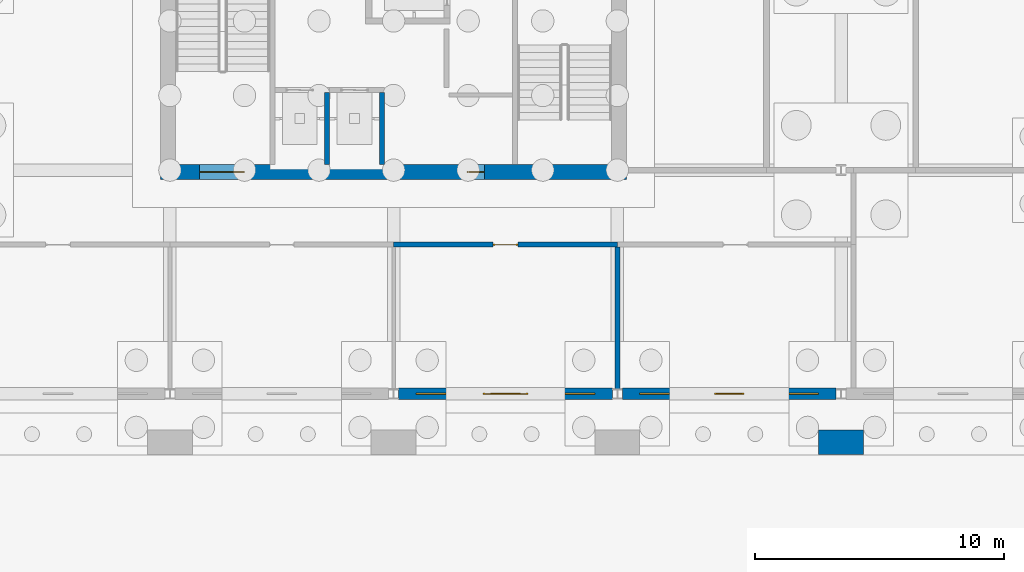
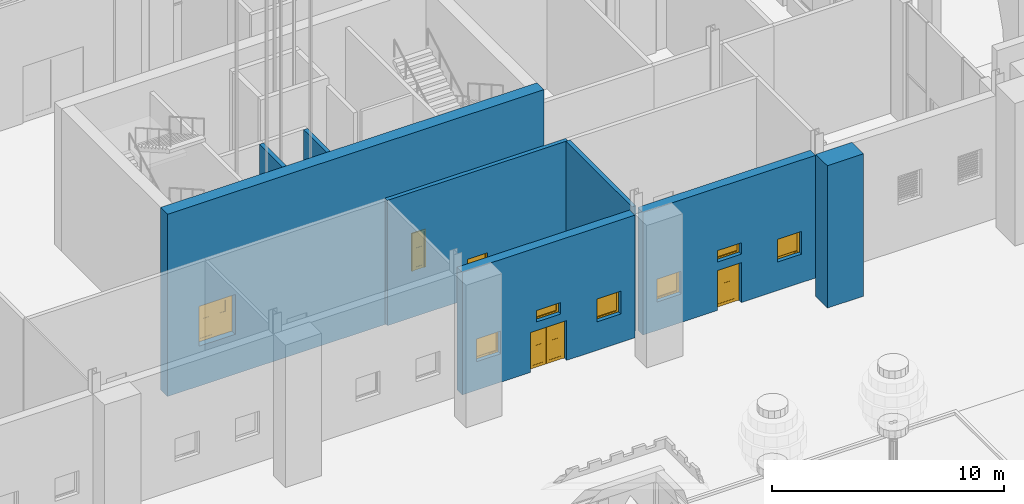
# One storey, part 105 of 250: 8 walls, 6 windows, 5 doors, 11 openings.
"""IFC4 building model written with IfcOpenShell, lengths in metres."""

import ifcopenshell
import ifcopenshell.guid

model = None  # the IFC model being written
_history = None  # IfcOwnerHistory: only IFC2X3 demands one
_inside = {}  # id of a spatial element -> (the spatial element, [elements in it])
_under = {}  # id of a project, library or spatial element -> (it, [spatial elements below it])
_declared = {}  # id of a project -> (the project, [libraries it declares])
_typed = {}  # id of a type object -> (the type object, [elements of that type])
_made_of = {}  # id of a material, layer set ... -> (it, [elements and type objects made of it])


def new_model(schema):
    """Start an empty IFC model of exactly this schema.

    Asked for "IFC4X3", IfcOpenShell would pick the latest addendum, in which some entities
    have other attributes; the version numbers below select the first issue.
    IFC2X3 requires an IfcOwnerHistory on every rooted entity: one is made here for all.
    """
    global model, _history
    if schema == "IFC4X3":
        model = ifcopenshell.file(schema_version=(4, 3, 0, 0))
    else:
        model = ifcopenshell.file(schema=schema)
    _inside.clear()
    _under.clear()
    _declared.clear()
    _typed.clear()
    _made_of.clear()
    _history = None
    if model.schema == "IFC2X3":
        org = make("IfcOrganization", Name="unknown")
        user = make(
            "IfcPersonAndOrganization",
            ThePerson=make("IfcPerson", FamilyName="unknown"),
            TheOrganization=org,
        )
        app = make(
            "IfcApplication",
            ApplicationDeveloper=org,
            Version="unknown",
            ApplicationFullName="unknown",
            ApplicationIdentifier="unknown",
        )
        _history = make(
            "IfcOwnerHistory",
            OwningUser=user,
            OwningApplication=app,
            ChangeAction="ADDED",
            CreationDate=0,
        )
    return model


def make(cls, **values):
    """One entity of the class cls with the attributes given. An attribute that is None is left unset."""
    return model.create_entity(
        cls, **{name: value for name, value in values.items() if value is not None}
    )


def rooted(cls, **values):
    """An entity with a GlobalId (a new one), such as an element, a storey or a relation."""
    return make(cls, GlobalId=ifcopenshell.guid.new(), OwnerHistory=_history, **values)


def si_unit(unit_type, name, prefix=None):
    """IfcSIUnit, for example si_unit("LENGTHUNIT", "METRE", prefix="MILLI")."""
    return make("IfcSIUnit", UnitType=unit_type, Prefix=prefix, Name=name)


def assignment(units):
    """IfcUnitAssignment: the units of a project."""
    return None if units is None else make("IfcUnitAssignment", Units=units)


def point(xyz):
    """IfcCartesianPoint."""
    return None if xyz is None else make("IfcCartesianPoint", Coordinates=xyz)


def direction(xyz):
    """IfcDirection."""
    return None if xyz is None else make("IfcDirection", DirectionRatios=xyz)


def frame(location, z_axis=None, x_axis=None):
    """IfcAxis2Placement3D, a coordinate frame: its origin and axes. An axis left out is left unset."""
    return make(
        "IfcAxis2Placement3D",
        Location=point(location),
        Axis=direction(z_axis),
        RefDirection=direction(x_axis),
    )


def frame_2d(location, x_axis=None):
    """IfcAxis2Placement2D, a coordinate frame in the plane: its origin and x axis."""
    return make(
        "IfcAxis2Placement2D", Location=point(location), RefDirection=direction(x_axis)
    )


def origin():
    """The frame at (0, 0, 0) with its axes left unset."""
    return frame((0.0, 0.0, 0.0))


def place(relative_to, where):
    """IfcLocalPlacement: puts the frame where relative to a parent placement (None: the world)."""
    return make(
        "IfcLocalPlacement", PlacementRelTo=relative_to, RelativePlacement=where
    )


def context(
    kind, dimensions, precision=None, world=None, true_north=None, identifier=None
):
    """IfcGeometricRepresentationContext, for example the 3D "Model" context."""
    return make(
        "IfcGeometricRepresentationContext",
        ContextIdentifier=identifier,
        ContextType=kind,
        CoordinateSpaceDimension=dimensions,
        Precision=precision,
        WorldCoordinateSystem=world,
        TrueNorth=true_north,
    )


def subcontext(parent, identifier, kind, view, scale=None):
    """IfcGeometricRepresentationSubContext, for example "Body" below "Model"."""
    return make(
        "IfcGeometricRepresentationSubContext",
        ContextIdentifier=identifier,
        ContextType=kind,
        ParentContext=parent,
        TargetScale=scale,
        TargetView=view,
    )


def project(units=None, contexts=None):
    """IfcProject with its units and contexts."""
    return rooted(
        "IfcProject",
        Name="project",
        RepresentationContexts=contexts,
        UnitsInContext=assignment(units),
    )


def spatial(cls, under=None, at=None, **own):
    """A site, building, storey or space (cls), placed at a placement, below another one or the project."""
    s = rooted(cls, ObjectPlacement=at, **own)
    if under is not None:
        _under.setdefault(under.id(), (under, []))[1].append(s)
    return s


def polyline(points):
    """IfcPolyline through the points."""
    return make("IfcPolyline", Points=[point(p) for p in points])


def profile(cls, at=None, kind="AREA", **sizes):
    """A parametric profile (cls). Its sizes go by their IFC names, for example OverallWidth=200.0."""
    return make(cls, ProfileType=kind, Position=at, **sizes)


def rectangle(**sizes):
    """IfcRectangleProfileDef."""
    return profile("IfcRectangleProfileDef", **sizes)


def outline(outer, holes=None, kind="AREA"):
    """IfcArbitraryClosedProfileDef: a profile drawn as a closed curve; with holes, ...WithVoids."""
    if holes is None:
        return make("IfcArbitraryClosedProfileDef", ProfileType=kind, OuterCurve=outer)
    return make(
        "IfcArbitraryProfileDefWithVoids",
        ProfileType=kind,
        OuterCurve=outer,
        InnerCurves=holes,
    )


def extrude(swept, where, along, depth):
    """IfcExtrudedAreaSolid: the profile swept, set in the frame where, extruded along a direction by depth."""
    return make(
        "IfcExtrudedAreaSolid",
        SweptArea=swept,
        Position=where,
        ExtrudedDirection=direction(along),
        Depth=depth,
    )


def shape(context_of_items, identifier, shape_type, items):
    """IfcShapeRepresentation: the items that make up one representation, for example the "Body"."""
    return make(
        "IfcShapeRepresentation",
        ContextOfItems=context_of_items,
        RepresentationIdentifier=identifier,
        RepresentationType=shape_type,
        Items=items,
    )


def material(Name=None, Category=None):
    """IfcMaterial."""
    return make("IfcMaterial", Name=Name, Category=Category)


def layer(
    of_material, thickness, ventilated=None, Name=None, Category=None, Priority=None
):
    """IfcMaterialLayer: one layer of a wall or slab, of a material (None: an air gap)."""
    return make(
        "IfcMaterialLayer",
        Material=of_material,
        LayerThickness=thickness,
        IsVentilated=ventilated,
        Name=Name,
        Category=Category,
        Priority=Priority,
    )


def layer_set(layers, Name=None):
    """IfcMaterialLayerSet."""
    return make("IfcMaterialLayerSet", MaterialLayers=layers, LayerSetName=Name)


def made_of(thing, what):
    """Note that an element or type object is made of a material, layer set ...; save() writes the relation."""
    if what is not None:
        _made_of.setdefault(what.id(), (what, []))[1].append(thing)
    return thing


def type_object(cls, material=None, **own):
    """A type object (cls), such as IfcWallType, which elements share."""
    return made_of(rooted(cls, **own), material)


def element(
    cls,
    number,
    at=None,
    inside=None,
    cuts=None,
    type_object=None,
    material=None,
    context=None,
    identifier="Body",
    shape_type=None,
    held_by="IfcProductDefinitionShape",
    body=None,
    shapes=None,
    **own,
):
    """One element of the class cls, such as IfcWall. Its Tag is "e" and its number.

    at: its placement. inside: the storey or other place that contains it. cuts: it is an
    opening in that element (IfcRelVoidsElement). A single representation is given by context,
    identifier, shape_type and body (its items); several are given by shapes. held_by: the class
    of the entity that holds the representations. save() writes the other relations.
    """
    e = rooted(cls, Tag="e%d" % number, ObjectPlacement=at, **own)
    if body is not None:
        shapes = [shape(context, identifier, shape_type, body)]
    if shapes is not None:
        e.Representation = make(held_by, Representations=shapes)
    if inside is not None:
        _inside.setdefault(inside.id(), (inside, []))[1].append(e)
    if cuts is not None:
        rooted(
            "IfcRelVoidsElement", RelatingBuildingElement=cuts, RelatedOpeningElement=e
        )
    if type_object is not None:
        _typed.setdefault(type_object.id(), (type_object, []))[1].append(e)
    return made_of(e, material)


def fill(opening, filler):
    """IfcRelFillsElement: the door or window that sits in an opening."""
    return rooted(
        "IfcRelFillsElement",
        RelatingOpeningElement=opening,
        RelatedBuildingElement=filler,
    )


def aggregate(whole, parts):
    """IfcRelAggregates: a whole, such as a stair, and the parts it consists of."""
    return rooted("IfcRelAggregates", RelatingObject=whole, RelatedObjects=parts)


def save(model, path):
    """Write the relations noted so far, then the file.

    IfcRelAggregates (storeys below a building ...), IfcRelContainedInSpatialStructure (elements
    in a storey), IfcRelDefinesByType, IfcRelAssociatesMaterial and IfcRelDeclares: one each for
    every whole, place, type object, material and project.
    """
    for whole, parts in _under.values():
        aggregate(whole, parts)
    for where, things in _inside.values():
        rooted(
            "IfcRelContainedInSpatialStructure",
            RelatedElements=things,
            RelatingStructure=where,
        )
    for kind, things in _typed.values():
        rooted("IfcRelDefinesByType", RelatedObjects=things, RelatingType=kind)
    for what, things in _made_of.values():
        rooted("IfcRelAssociatesMaterial", RelatedObjects=things, RelatingMaterial=what)
    for by, libraries in _declared.values():
        rooted("IfcRelDeclares", RelatingContext=by, RelatedDefinitions=libraries)
    model.write(path)


model = new_model("IFC4")

# Units and contexts
model_context = context("Model", 3, precision=1e-05, world=origin(), true_north=direction((0.0, 1.0)))
body_context = subcontext(model_context, "Body", "Model", "MODEL_VIEW")
ifc_project = project(units=[si_unit("LENGTHUNIT", "METRE"), si_unit("AREAUNIT", "SQUARE_METRE"), si_unit("VOLUMEUNIT", "CUBIC_METRE"), si_unit("PLANEANGLEUNIT", "RADIAN"), si_unit("MASSUNIT", "GRAM", prefix="KILO")], contexts=[model_context])

# Site, building, storey
site_placement = place(None, origin())
site = spatial("IfcSite", under=ifc_project, at=site_placement, CompositionType="ELEMENT")
building_placement = place(site_placement, origin())
building = spatial("IfcBuilding", under=site, at=building_placement, Name="Baradari Gate Terminus", CompositionType="ELEMENT")
storey_placement = place(building_placement, origin())
storey = spatial("IfcBuildingStorey", under=building, at=storey_placement, Name="L00", CompositionType="ELEMENT", Elevation=0.0)

# Wall
ifc_material_1 = material(Name="Blockwork wall, plastered, fire rated", Category="masonry")
ifc_layer_1 = layer(ifc_material_1, 0.199951171875)
ifc_layer_set_1 = layer_set([ifc_layer_1], Name="Blockwork wall, plastered, fire rated")
wall_type_1 = type_object("IfcWallType", Name="Compartment wall PT-3 200 EI 120", PredefinedType="PARTITIONING", material=ifc_layer_set_1)
wall_1_placement = place(storey_placement, frame((45.0, 122.89990234375, 0.0), z_axis=(0.0, 0.0, 1.0), x_axis=(0.0, -1.0, 0.0)))
element("IfcWall", 1, at=wall_1_placement, inside=storey, type_object=wall_type_1, Name="PT-3 partition Bicycle Store / Fire Command Room", PredefinedType="PARTITIONING", context=body_context, shape_type="SweptSolid", body=[
    extrude(rectangle(XDim=5.703125, YDim=0.199951171875, at=frame_2d((2.8515625, 0.0))), origin(), (0.0, 0.0, 1.0), 6.60009765625),
])

# Wall, openings, windows, door
ifc_material_2 = material(Name="Laterite masonry", Category="masonry")
ifc_layer_2 = layer(ifc_material_2, 0.449951171875)
ifc_layer_set_2 = layer_set([ifc_layer_2], Name="Laterite masonry")
wall_type_2 = type_object("IfcWallType", Name="Laterite masonry pier WC-1 450", PredefinedType="SOLIDWALL", material=ifc_layer_set_2)
wall_2_placement = place(storey_placement, frame((36.199462890625, 117.0, 0.0), z_axis=(0.0, 0.0, 1.0), x_axis=(1.0, 0.0, 0.0)))
wall_2 = element("IfcWall", 2, at=wall_2_placement, inside=storey, type_object=wall_type_2, Name="Operations block south TS bay 5 L00", PredefinedType="SOLIDWALL", context=body_context, shape_type="SweptSolid", body=[
    extrude(rectangle(XDim=8.60107421875, YDim=0.449951171875, at=frame_2d((4.300537109375, 0.0))), origin(), (0.0, 0.0, 1.0), 6.459716796875),
])
opening_1_placement = place(wall_2_placement, frame((3.400390625, 0.0, 0.0)))
opening_1 = element("IfcOpeningElement", 3, at=opening_1_placement, cuts=wall_2, Name="Opening D00-005", PredefinedType="OPENING", context=body_context, shape_type="SweptSolid", body=[
    extrude(rectangle(XDim=1.800048828125, YDim=2.10009765625, at=frame_2d((0.89990234375, 1.050048828125))), frame((0.0, 0.23486328125, 0.0), z_axis=(0.0, -1.0, 0.0), x_axis=(1.0, 0.0, 0.0)), (0.0, 0.0, 1.0), 0.469970703125),
])
opening_2_placement = place(wall_2_placement, frame((3.700439453125, 0.0, 2.550048828125)))
opening_2 = element("IfcOpeningElement", 4, at=opening_2_placement, cuts=wall_2, Name="Opening W10", PredefinedType="OPENING", context=body_context, shape_type="SweptSolid", body=[
    extrude(rectangle(XDim=1.199951171875, YDim=0.60009765625, at=frame_2d((0.60009765625, 0.300048828125))), frame((0.0, 0.23486328125, 0.0), z_axis=(0.0, -1.0, 0.0), x_axis=(1.0, 0.0, 0.0)), (0.0, 0.0, 1.0), 0.469970703125),
])
opening_3_placement = place(wall_2_placement, frame((0.700439453125, 0.0, 1.5)))
opening_3 = element("IfcOpeningElement", 5, at=opening_3_placement, cuts=wall_2, Name="Opening W2", PredefinedType="OPENING", context=body_context, shape_type="SweptSolid", body=[
    extrude(rectangle(XDim=1.199951171875, YDim=1.199951171875, at=frame_2d((0.60009765625, 0.60009765625))), frame((0.0, 0.23486328125, 0.0), z_axis=(0.0, -1.0, 0.0), x_axis=(1.0, 0.0, 0.0)), (0.0, 0.0, 1.0), 0.469970703125),
])
opening_4_placement = place(wall_2_placement, frame((6.700439453125, 0.0, 1.5)))
opening_4 = element("IfcOpeningElement", 6, at=opening_4_placement, cuts=wall_2, Name="Opening W2", PredefinedType="OPENING", context=body_context, shape_type="SweptSolid", body=[
    extrude(rectangle(XDim=1.199951171875, YDim=1.199951171875, at=frame_2d((0.60009765625, 0.60009765625))), frame((0.0, 0.23486328125, 0.0), z_axis=(0.0, -1.0, 0.0), x_axis=(1.0, 0.0, 0.0)), (0.0, 0.0, 1.0), 0.469970703125),
])
ifc_material_3 = material(Name="Aluminium 6063-T6", Category="aluminium")
window_type_1 = type_object("IfcWindowType", Name="Door fanlight W10 1200x600", PartitioningType="SINGLE_PANEL", PredefinedType="WINDOW", material=ifc_material_3)
window_1_placement = place(opening_2_placement, origin())
window_1 = element("IfcWindow", 7, at=window_1_placement, inside=storey, type_object=window_type_1, Name="Fanlight over Bicycle Store", OverallHeight=0.6, OverallWidth=1.2, PartitioningType="SINGLE_PANEL", PredefinedType="WINDOW", context=body_context, shape_type="SweptSolid", body=[
    extrude(outline(polyline([(0.0, 0.0), (1.199951171875, 0.0), (1.199951171875, 0.60009765625), (0.0, 0.60009765625), (0.0, 0.0)]), holes=[polyline([(0.070068359375, 0.070068359375), (1.1298828125, 0.070068359375), (1.1298828125, 0.530029296875), (0.070068359375, 0.530029296875), (0.070068359375, 0.070068359375)])]), frame((0.0, 0.030029296875, 0.0), z_axis=(0.0, -1.0, 0.0), x_axis=(1.0, 0.0, 0.0)), (0.0, 0.0, 1.0), 0.06005859375),
    extrude(outline(polyline([(0.070068359375, 0.070068359375), (1.1298828125, 0.070068359375), (1.1298828125, 0.530029296875), (0.070068359375, 0.530029296875), (0.070068359375, 0.070068359375)]), holes=[polyline([(0.10009765625, 0.10009765625), (1.099853515625, 0.10009765625), (1.099853515625, 0.5), (0.10009765625, 0.5), (0.10009765625, 0.10009765625)])]), frame((0.0, 0.0224609375, 0.0), z_axis=(0.0, -1.0, 0.0), x_axis=(1.0, 0.0, 0.0)), (0.0, 0.0, 1.0), 0.044921875),
    extrude(rectangle(XDim=0.999755859375, YDim=0.39990234375, at=frame_2d((0.60009765625, 0.300048828125))), frame((0.0, 0.006103515625, 0.0), z_axis=(0.0, -1.0, 0.0), x_axis=(1.0, 0.0, 0.0)), (0.0, 0.0, 1.0), 0.01220703125),
])
fill(opening_2, window_1)
ifc_material_4 = material(Name="Aluminium 6063-T6", Category="aluminium")
window_type_2 = type_object("IfcWindowType", Name="High-level window W2 1200x1200", PartitioningType="SINGLE_PANEL", PredefinedType="WINDOW", material=ifc_material_4)
window_2_placement = place(opening_3_placement, origin())
window_2 = element("IfcWindow", 8, at=window_2_placement, inside=storey, type_object=window_type_2, Name="Window W2 TS/04", OverallHeight=1.2, OverallWidth=1.2, PartitioningType="SINGLE_PANEL", PredefinedType="WINDOW", context=body_context, shape_type="SweptSolid", body=[
    extrude(outline(polyline([(0.0, 0.0), (1.199951171875, 0.0), (1.199951171875, 1.199951171875), (0.0, 1.199951171875), (0.0, 0.0)]), holes=[polyline([(0.070068359375, 0.070068359375), (1.1298828125, 0.070068359375), (1.1298828125, 1.1298828125), (0.070068359375, 1.1298828125), (0.070068359375, 0.070068359375)])]), frame((0.0, 0.030029296875, 0.0), z_axis=(0.0, -1.0, 0.0), x_axis=(1.0, 0.0, 0.0)), (0.0, 0.0, 1.0), 0.06005859375),
    extrude(outline(polyline([(0.070068359375, 0.070068359375), (1.1298828125, 0.070068359375), (1.1298828125, 1.1298828125), (0.070068359375, 1.1298828125), (0.070068359375, 0.070068359375)]), holes=[polyline([(0.10009765625, 0.10009765625), (1.099853515625, 0.10009765625), (1.099853515625, 1.099853515625), (0.10009765625, 1.099853515625), (0.10009765625, 0.10009765625)])]), frame((0.0, 0.0224609375, 0.0), z_axis=(0.0, -1.0, 0.0), x_axis=(1.0, 0.0, 0.0)), (0.0, 0.0, 1.0), 0.044921875),
    extrude(rectangle(XDim=0.999755859375, YDim=0.999755859375, at=frame_2d((0.60009765625, 0.60009765625))), frame((0.0, 0.006103515625, 0.0), z_axis=(0.0, -1.0, 0.0), x_axis=(1.0, 0.0, 0.0)), (0.0, 0.0, 1.0), 0.01220703125),
])
fill(opening_3, window_2)
window_3_placement = place(opening_4_placement, origin())
window_3 = element("IfcWindow", 9, at=window_3_placement, inside=storey, type_object=window_type_2, Name="Window W2 TS/04", OverallHeight=1.2, OverallWidth=1.2, PartitioningType="SINGLE_PANEL", PredefinedType="WINDOW", context=body_context, shape_type="SweptSolid", body=[
    extrude(outline(polyline([(0.0, 0.0), (1.199951171875, 0.0), (1.199951171875, 1.199951171875), (0.0, 1.199951171875), (0.0, 0.0)]), holes=[polyline([(0.070068359375, 0.070068359375), (1.1298828125, 0.070068359375), (1.1298828125, 1.1298828125), (0.070068359375, 1.1298828125), (0.070068359375, 0.070068359375)])]), frame((0.0, 0.030029296875, 0.0), z_axis=(0.0, -1.0, 0.0), x_axis=(1.0, 0.0, 0.0)), (0.0, 0.0, 1.0), 0.06005859375),
    extrude(outline(polyline([(0.070068359375, 0.070068359375), (1.1298828125, 0.070068359375), (1.1298828125, 1.1298828125), (0.070068359375, 1.1298828125), (0.070068359375, 0.070068359375)]), holes=[polyline([(0.10009765625, 0.10009765625), (1.099853515625, 0.10009765625), (1.099853515625, 1.099853515625), (0.10009765625, 1.099853515625), (0.10009765625, 0.10009765625)])]), frame((0.0, 0.0224609375, 0.0), z_axis=(0.0, -1.0, 0.0), x_axis=(1.0, 0.0, 0.0)), (0.0, 0.0, 1.0), 0.044921875),
    extrude(rectangle(XDim=0.999755859375, YDim=0.999755859375, at=frame_2d((0.60009765625, 0.60009765625))), frame((0.0, 0.006103515625, 0.0), z_axis=(0.0, -1.0, 0.0), x_axis=(1.0, 0.0, 0.0)), (0.0, 0.0, 1.0), 0.01220703125),
])
fill(opening_4, window_3)
ifc_material_5 = material(Name="Steel S235", Category="steel")
door_type_1 = type_object("IfcDoorType", Name="Store door pair, steel DT-5 1800x2100", OperationType="DOUBLE_DOOR_SINGLE_SWING", PredefinedType="DOOR", material=ifc_material_5)
door_1_placement = place(opening_1_placement, frame((1.800048828125, 0.0, 0.0), z_axis=(0.0, 0.0, 1.0), x_axis=(-1.0, 0.0, 0.0)))
door_1 = element("IfcDoor", 10, at=door_1_placement, inside=storey, type_object=door_type_1, Name="Exit door Bicycle Store", OperationType="DOUBLE_DOOR_SINGLE_SWING", OverallHeight=2.1, OverallWidth=1.8, PredefinedType="DOOR", context=body_context, shape_type="SweptSolid", body=[
    extrude(outline(polyline([(0.0, 0.0), (0.070068359375, 0.0), (0.070068359375, 2.030029296875), (1.72998046875, 2.030029296875), (1.72998046875, 0.0), (1.800048828125, 0.0), (1.800048828125, 2.10009765625), (0.0, 2.10009765625), (0.0, 0.0)])), frame((0.0, 0.02490234375, 0.0), z_axis=(0.0, -1.0, 0.0), x_axis=(1.0, 0.0, 0.0)), (0.0, 0.0, 1.0), 0.050048828125),
    extrude(outline(polyline([(0.073974609375, 0.010009765625), (0.89697265625, 0.010009765625), (0.89697265625, 2.026123046875), (0.073974609375, 2.026123046875), (0.073974609375, 0.010009765625)]), holes=[polyline([(0.194091796875, 0.159912109375), (0.77685546875, 0.159912109375), (0.77685546875, 1.010009765625), (0.194091796875, 1.010009765625), (0.194091796875, 0.159912109375)]), polyline([(0.33544921875, 1.159912109375), (0.635498046875, 1.159912109375), (0.635498046875, 1.760009765625), (0.33544921875, 1.760009765625), (0.33544921875, 1.159912109375)])]), frame((0.0, 0.017333984375, 0.0), z_axis=(0.0, -1.0, 0.0), x_axis=(1.0, 0.0, 0.0)), (0.0, 0.0, 1.0), 0.034912109375),
    extrude(rectangle(XDim=0.582763671875, YDim=0.85009765625, at=frame_2d((0.4853515625, 0.5849609375))), frame((0.0, 0.008544921875, 0.0), z_axis=(0.0, -1.0, 0.0), x_axis=(1.0, 0.0, 0.0)), (0.0, 0.0, 1.0), 0.017333984375),
    extrude(rectangle(XDim=0.300048828125, YDim=0.60009765625, at=frame_2d((0.4853515625, 1.4599609375))), frame((0.0, 0.005859375, 0.0), z_axis=(0.0, -1.0, 0.0), x_axis=(1.0, 0.0, 0.0)), (0.0, 0.0, 1.0), 0.011962890625),
    extrude(outline(polyline([(0.903076171875, 0.010009765625), (1.72607421875, 0.010009765625), (1.72607421875, 2.026123046875), (0.903076171875, 2.026123046875), (0.903076171875, 0.010009765625)]), holes=[polyline([(1.023193359375, 0.159912109375), (1.60595703125, 0.159912109375), (1.60595703125, 1.010009765625), (1.023193359375, 1.010009765625), (1.023193359375, 0.159912109375)]), polyline([(1.16455078125, 1.159912109375), (1.464599609375, 1.159912109375), (1.464599609375, 1.760009765625), (1.16455078125, 1.760009765625), (1.16455078125, 1.159912109375)])]), frame((0.0, 0.017333984375, 0.0), z_axis=(0.0, -1.0, 0.0), x_axis=(1.0, 0.0, 0.0)), (0.0, 0.0, 1.0), 0.034912109375),
    extrude(rectangle(XDim=0.582763671875, YDim=0.85009765625, at=frame_2d((1.314453125, 0.5849609375))), frame((0.0, 0.008544921875, 0.0), z_axis=(0.0, -1.0, 0.0), x_axis=(1.0, 0.0, 0.0)), (0.0, 0.0, 1.0), 0.017333984375),
    extrude(rectangle(XDim=0.300048828125, YDim=0.60009765625, at=frame_2d((1.314453125, 1.4599609375))), frame((0.0, 0.005859375, 0.0), z_axis=(0.0, -1.0, 0.0), x_axis=(1.0, 0.0, 0.0)), (0.0, 0.0, 1.0), 0.011962890625),
])
fill(opening_1, door_1)

wall_3_placement = place(storey_placement, frame((45.199462890625, 117.0, 0.0), z_axis=(0.0, 0.0, 1.0), x_axis=(1.0, 0.0, 0.0)))
wall_3 = element("IfcWall", 11, at=wall_3_placement, inside=storey, type_object=wall_type_2, Name="Operations block south TS bay 6 L00", PredefinedType="SOLIDWALL", context=body_context, shape_type="SweptSolid", body=[
    extrude(rectangle(XDim=8.60107421875, YDim=0.449951171875, at=frame_2d((4.300537109375, 0.0))), origin(), (0.0, 0.0, 1.0), 6.459716796875),
])
opening_5_placement = place(wall_3_placement, frame((3.700439453125, 0.0, 0.0)))
opening_5 = element("IfcOpeningElement", 12, at=opening_5_placement, cuts=wall_3, Name="Opening D00-006", PredefinedType="OPENING", context=body_context, shape_type="SweptSolid", body=[
    extrude(rectangle(XDim=1.199951171875, YDim=2.10009765625, at=frame_2d((0.60009765625, 1.050048828125))), frame((0.0, 0.23486328125, 0.0), z_axis=(0.0, -1.0, 0.0), x_axis=(1.0, 0.0, 0.0)), (0.0, 0.0, 1.0), 0.469970703125),
])
opening_6_placement = place(wall_3_placement, frame((3.700439453125, 0.0, 2.550048828125)))
opening_6 = element("IfcOpeningElement", 13, at=opening_6_placement, cuts=wall_3, Name="Opening W10", PredefinedType="OPENING", context=body_context, shape_type="SweptSolid", body=[
    extrude(rectangle(XDim=1.199951171875, YDim=0.60009765625, at=frame_2d((0.60009765625, 0.300048828125))), frame((0.0, 0.23486328125, 0.0), z_axis=(0.0, -1.0, 0.0), x_axis=(1.0, 0.0, 0.0)), (0.0, 0.0, 1.0), 0.469970703125),
])
opening_7_placement = place(wall_3_placement, frame((0.700439453125, 0.0, 1.5)))
opening_7 = element("IfcOpeningElement", 14, at=opening_7_placement, cuts=wall_3, Name="Opening W2", PredefinedType="OPENING", context=body_context, shape_type="SweptSolid", body=[
    extrude(rectangle(XDim=1.199951171875, YDim=1.199951171875, at=frame_2d((0.60009765625, 0.60009765625))), frame((0.0, 0.23486328125, 0.0), z_axis=(0.0, -1.0, 0.0), x_axis=(1.0, 0.0, 0.0)), (0.0, 0.0, 1.0), 0.469970703125),
])
opening_8_placement = place(wall_3_placement, frame((6.700439453125, 0.0, 1.5)))
opening_8 = element("IfcOpeningElement", 15, at=opening_8_placement, cuts=wall_3, Name="Opening W2", PredefinedType="OPENING", context=body_context, shape_type="SweptSolid", body=[
    extrude(rectangle(XDim=1.199951171875, YDim=1.199951171875, at=frame_2d((0.60009765625, 0.60009765625))), frame((0.0, 0.23486328125, 0.0), z_axis=(0.0, -1.0, 0.0), x_axis=(1.0, 0.0, 0.0)), (0.0, 0.0, 1.0), 0.469970703125),
])
window_4_placement = place(opening_6_placement, origin())
window_4 = element("IfcWindow", 16, at=window_4_placement, inside=storey, type_object=window_type_1, Name="Fanlight over Fire Command Room", OverallHeight=0.6, OverallWidth=1.2, PartitioningType="SINGLE_PANEL", PredefinedType="WINDOW", context=body_context, shape_type="SweptSolid", body=[
    extrude(outline(polyline([(0.0, 0.0), (1.199951171875, 0.0), (1.199951171875, 0.60009765625), (0.0, 0.60009765625), (0.0, 0.0)]), holes=[polyline([(0.070068359375, 0.070068359375), (1.1298828125, 0.070068359375), (1.1298828125, 0.530029296875), (0.070068359375, 0.530029296875), (0.070068359375, 0.070068359375)])]), frame((0.0, 0.030029296875, 0.0), z_axis=(0.0, -1.0, 0.0), x_axis=(1.0, 0.0, 0.0)), (0.0, 0.0, 1.0), 0.06005859375),
    extrude(outline(polyline([(0.070068359375, 0.070068359375), (1.1298828125, 0.070068359375), (1.1298828125, 0.530029296875), (0.070068359375, 0.530029296875), (0.070068359375, 0.070068359375)]), holes=[polyline([(0.10009765625, 0.10009765625), (1.099853515625, 0.10009765625), (1.099853515625, 0.5), (0.10009765625, 0.5), (0.10009765625, 0.10009765625)])]), frame((0.0, 0.0224609375, 0.0), z_axis=(0.0, -1.0, 0.0), x_axis=(1.0, 0.0, 0.0)), (0.0, 0.0, 1.0), 0.044921875),
    extrude(rectangle(XDim=0.999755859375, YDim=0.39990234375, at=frame_2d((0.60009765625, 0.300048828125))), frame((0.0, 0.006103515625, 0.0), z_axis=(0.0, -1.0, 0.0), x_axis=(1.0, 0.0, 0.0)), (0.0, 0.0, 1.0), 0.01220703125),
])
fill(opening_6, window_4)
ifc_material_6 = material(Name="Steel S235", Category="steel")
door_type_2 = type_object("IfcDoorType", Name="Fire door, steel DT-9 1200x2100", OperationType="SINGLE_SWING_RIGHT", PredefinedType="DOOR", material=ifc_material_6)
door_2_placement = place(opening_5_placement, frame((1.199951171875, 0.0, 0.0), z_axis=(0.0, 0.0, 1.0), x_axis=(-1.0, 0.0, 0.0)))
door_2 = element("IfcDoor", 17, at=door_2_placement, inside=storey, type_object=door_type_2, Name="Exit door Fire Command Room", OperationType="SINGLE_SWING_RIGHT", OverallHeight=2.1, OverallWidth=1.2, PredefinedType="DOOR", context=body_context, shape_type="SweptSolid", body=[
    extrude(outline(polyline([(0.0, 0.0), (0.070068359375, 0.0), (0.070068359375, 2.030029296875), (1.1298828125, 2.030029296875), (1.1298828125, 0.0), (1.199951171875, 0.0), (1.199951171875, 2.10009765625), (0.0, 2.10009765625), (0.0, 0.0)])), frame((0.0, 0.02490234375, 0.0), z_axis=(0.0, -1.0, 0.0), x_axis=(1.0, 0.0, 0.0)), (0.0, 0.0, 1.0), 0.050048828125),
    extrude(outline(polyline([(0.073974609375, 0.010009765625), (1.1259765625, 0.010009765625), (1.1259765625, 2.026123046875), (0.073974609375, 2.026123046875), (0.073974609375, 0.010009765625)]), holes=[polyline([(0.194091796875, 0.159912109375), (1.005859375, 0.159912109375), (1.005859375, 1.010009765625), (0.194091796875, 1.010009765625), (0.194091796875, 0.159912109375)]), polyline([(0.449951171875, 1.159912109375), (0.75, 1.159912109375), (0.75, 1.760009765625), (0.449951171875, 1.760009765625), (0.449951171875, 1.159912109375)])]), frame((0.0, 0.017333984375, 0.0), z_axis=(0.0, -1.0, 0.0), x_axis=(1.0, 0.0, 0.0)), (0.0, 0.0, 1.0), 0.034912109375),
    extrude(rectangle(XDim=0.811767578125, YDim=0.85009765625, at=frame_2d((0.60009765625, 0.5849609375))), frame((0.0, 0.008544921875, 0.0), z_axis=(0.0, -1.0, 0.0), x_axis=(1.0, 0.0, 0.0)), (0.0, 0.0, 1.0), 0.017333984375),
    extrude(rectangle(XDim=0.300048828125, YDim=0.60009765625, at=frame_2d((0.60009765625, 1.4599609375))), frame((0.0, 0.005859375, 0.0), z_axis=(0.0, -1.0, 0.0), x_axis=(1.0, 0.0, 0.0)), (0.0, 0.0, 1.0), 0.011962890625),
])
fill(opening_5, door_2)
window_5_placement = place(opening_7_placement, origin())
window_5 = element("IfcWindow", 18, at=window_5_placement, inside=storey, type_object=window_type_2, Name="Window W2 TS/05", OverallHeight=1.2, OverallWidth=1.2, PartitioningType="SINGLE_PANEL", PredefinedType="WINDOW", context=body_context, shape_type="SweptSolid", body=[
    extrude(outline(polyline([(0.0, 0.0), (1.199951171875, 0.0), (1.199951171875, 1.199951171875), (0.0, 1.199951171875), (0.0, 0.0)]), holes=[polyline([(0.070068359375, 0.070068359375), (1.1298828125, 0.070068359375), (1.1298828125, 1.1298828125), (0.070068359375, 1.1298828125), (0.070068359375, 0.070068359375)])]), frame((0.0, 0.030029296875, 0.0), z_axis=(0.0, -1.0, 0.0), x_axis=(1.0, 0.0, 0.0)), (0.0, 0.0, 1.0), 0.06005859375),
    extrude(outline(polyline([(0.070068359375, 0.070068359375), (1.1298828125, 0.070068359375), (1.1298828125, 1.1298828125), (0.070068359375, 1.1298828125), (0.070068359375, 0.070068359375)]), holes=[polyline([(0.10009765625, 0.10009765625), (1.099853515625, 0.10009765625), (1.099853515625, 1.099853515625), (0.10009765625, 1.099853515625), (0.10009765625, 0.10009765625)])]), frame((0.0, 0.0224609375, 0.0), z_axis=(0.0, -1.0, 0.0), x_axis=(1.0, 0.0, 0.0)), (0.0, 0.0, 1.0), 0.044921875),
    extrude(rectangle(XDim=0.999755859375, YDim=0.999755859375, at=frame_2d((0.60009765625, 0.60009765625))), frame((0.0, 0.006103515625, 0.0), z_axis=(0.0, -1.0, 0.0), x_axis=(1.0, 0.0, 0.0)), (0.0, 0.0, 1.0), 0.01220703125),
])
fill(opening_7, window_5)
window_6_placement = place(opening_8_placement, origin())
window_6 = element("IfcWindow", 19, at=window_6_placement, inside=storey, type_object=window_type_2, Name="Window W2 TS/05", OverallHeight=1.2, OverallWidth=1.2, PartitioningType="SINGLE_PANEL", PredefinedType="WINDOW", context=body_context, shape_type="SweptSolid", body=[
    extrude(outline(polyline([(0.0, 0.0), (1.199951171875, 0.0), (1.199951171875, 1.199951171875), (0.0, 1.199951171875), (0.0, 0.0)]), holes=[polyline([(0.070068359375, 0.070068359375), (1.1298828125, 0.070068359375), (1.1298828125, 1.1298828125), (0.070068359375, 1.1298828125), (0.070068359375, 0.070068359375)])]), frame((0.0, 0.030029296875, 0.0), z_axis=(0.0, -1.0, 0.0), x_axis=(1.0, 0.0, 0.0)), (0.0, 0.0, 1.0), 0.06005859375),
    extrude(outline(polyline([(0.070068359375, 0.070068359375), (1.1298828125, 0.070068359375), (1.1298828125, 1.1298828125), (0.070068359375, 1.1298828125), (0.070068359375, 0.070068359375)]), holes=[polyline([(0.10009765625, 0.10009765625), (1.099853515625, 0.10009765625), (1.099853515625, 1.099853515625), (0.10009765625, 1.099853515625), (0.10009765625, 0.10009765625)])]), frame((0.0, 0.0224609375, 0.0), z_axis=(0.0, -1.0, 0.0), x_axis=(1.0, 0.0, 0.0)), (0.0, 0.0, 1.0), 0.044921875),
    extrude(rectangle(XDim=0.999755859375, YDim=0.999755859375, at=frame_2d((0.60009765625, 0.60009765625))), frame((0.0, 0.006103515625, 0.0), z_axis=(0.0, -1.0, 0.0), x_axis=(1.0, 0.0, 0.0)), (0.0, 0.0, 1.0), 0.01220703125),
])
fill(opening_8, window_6)

# Walls
ifc_material_7 = material(Name="Blockwork wall, fire rated", Category="masonry")
ifc_layer_3 = layer(ifc_material_7, 0.199951171875)
ifc_layer_set_3 = layer_set([ifc_layer_3], Name="Blockwork wall, fire rated")
wall_type_3 = type_object("IfcWallType", Name="Lift shaft wall SH-1 200 EI 120", PredefinedType="SOLIDWALL", material=ifc_layer_set_3)
for number, where, z_axis, x_axis, name in (
    (20, (33.324951171875, 126.22705078125, -1.60009765625), (0.0, 0.0, 1.0), (0.0, 1.0, 0.0), "Lift shaft wall LT1 L00 E"),
    (21, (35.52490234375, 126.22705078125, -1.60009765625), (0.0, 0.0, 1.0), (0.0, 1.0, 0.0), "Lift shaft wall LT2 L00 E"),
):
    element("IfcWall", number, at=place(storey_placement, frame(where, z_axis=z_axis, x_axis=x_axis)), inside=storey, type_object=wall_type_3, Name=name, PredefinedType="SOLIDWALL", context=body_context, shape_type="SweptSolid", body=[
        extrude(rectangle(XDim=2.89794921875, YDim=0.199951171875, at=frame_2d((1.448974609375, 0.0))), origin(), (0.0, 0.0, 1.0), 8.357177734375),
    ])

# Wall, opening, door
ifc_material_8 = material(Name="Blockwork wall, plastered, fire rated", Category="masonry")
ifc_layer_4 = layer(ifc_material_8, 0.199951171875)
ifc_layer_set_4 = layer_set([ifc_layer_4], Name="Blockwork wall, plastered, fire rated")
wall_type_4 = type_object("IfcWallType", Name="Lobby partition PT-4 200 EI 60", PredefinedType="PARTITIONING", material=ifc_layer_set_4)
wall_4_placement = place(storey_placement, frame((45.0, 123.0, 0.0), z_axis=(0.0, 0.0, 1.0), x_axis=(-1.0, 0.0, 0.0)))
wall_4 = element("IfcWall", 22, at=wall_4_placement, inside=storey, type_object=wall_type_4, Name="PT-4 partition Staff and Visitor Lobby / Bicycle Store", PredefinedType="PARTITIONING", context=body_context, shape_type="SweptSolid", body=[
    extrude(rectangle(XDim=9.0, YDim=0.199951171875, at=frame_2d((4.5, 0.0))), origin(), (0.0, 0.0, 1.0), 6.60009765625),
])
opening_9_placement = place(wall_4_placement, frame((4.0, 0.0, 0.0)))
opening_9 = element("IfcOpeningElement", 23, at=opening_9_placement, cuts=wall_4, Name="Opening D00-097", PredefinedType="OPENING", context=body_context, shape_type="SweptSolid", body=[
    extrude(rectangle(XDim=1.0, YDim=2.10009765625, at=frame_2d((0.5, 1.050048828125))), frame((0.0, 0.10986328125, 0.0), z_axis=(0.0, -1.0, 0.0), x_axis=(1.0, 0.0, 0.0)), (0.0, 0.0, 1.0), 0.219970703125),
])
ifc_material_9 = material(Name="Steel S275", Category="steel")
door_type_3 = type_object("IfcDoorType", Name="Fire door FI-1000-FD60S 1000x2100 FD60S", OperationType="SINGLE_SWING_LEFT", PredefinedType="DOOR", material=ifc_material_9)
door_3_placement = place(opening_9_placement, origin())
door_3 = element("IfcDoor", 24, at=door_3_placement, inside=storey, type_object=door_type_3, Name="Door Bicycle Store", OperationType="SINGLE_SWING_LEFT", OverallHeight=2.1, OverallWidth=1.0, PredefinedType="DOOR", context=body_context, shape_type="SweptSolid", body=[
    extrude(outline(polyline([(0.0, 0.0), (0.070068359375, 0.0), (0.070068359375, 2.030029296875), (0.929931640625, 2.030029296875), (0.929931640625, 0.0), (1.0, 0.0), (1.0, 2.10009765625), (0.0, 2.10009765625), (0.0, 0.0)])), frame((0.0, 0.02490234375, 0.0), z_axis=(0.0, -1.0, 0.0), x_axis=(1.0, 0.0, 0.0)), (0.0, 0.0, 1.0), 0.050048828125),
    extrude(outline(polyline([(0.073974609375, 0.010009765625), (0.926025390625, 0.010009765625), (0.926025390625, 2.026123046875), (0.073974609375, 2.026123046875), (0.073974609375, 0.010009765625)]), holes=[polyline([(0.194091796875, 0.159912109375), (0.805908203125, 0.159912109375), (0.805908203125, 1.010009765625), (0.194091796875, 1.010009765625), (0.194091796875, 0.159912109375)]), polyline([(0.35009765625, 1.159912109375), (0.64990234375, 1.159912109375), (0.64990234375, 1.760009765625), (0.35009765625, 1.760009765625), (0.35009765625, 1.159912109375)])]), frame((0.0, 0.017333984375, 0.0), z_axis=(0.0, -1.0, 0.0), x_axis=(1.0, 0.0, 0.0)), (0.0, 0.0, 1.0), 0.034912109375),
    extrude(rectangle(XDim=0.61181640625, YDim=0.85009765625, at=frame_2d((0.5, 0.5849609375))), frame((0.0, 0.008544921875, 0.0), z_axis=(0.0, -1.0, 0.0), x_axis=(1.0, 0.0, 0.0)), (0.0, 0.0, 1.0), 0.017333984375),
    extrude(rectangle(XDim=0.2998046875, YDim=0.60009765625, at=frame_2d((0.5, 1.4599609375))), frame((0.0, 0.005859375, 0.0), z_axis=(0.0, -1.0, 0.0), x_axis=(1.0, 0.0, 0.0)), (0.0, 0.0, 1.0), 0.011962890625),
])
fill(opening_9, door_3)

# Wall, openings, doors
ifc_material_10 = material(Name="Concrete C40/50", Category="concrete")
ifc_layer_5 = layer(ifc_material_10, 0.60009765625)
ifc_layer_set_5 = layer_set([ifc_layer_5], Name="Concrete C40/50")
wall_type_5 = type_object("IfcWallType", Name="Operations block core wall CWL01 600", PredefinedType="SOLIDWALL", material=ifc_layer_set_5)
wall_5_placement = place(storey_placement, frame((26.625, 125.925048828125, -2.10009765625), z_axis=(0.0, 0.0, 1.0), x_axis=(1.0, 0.0, 0.0)))
wall_5 = element("IfcWall", 25, at=wall_5_placement, inside=storey, type_object=wall_type_5, Name="Operations block core wall CT S L00", PredefinedType="SOLIDWALL", context=body_context, shape_type="SweptSolid", body=[
    extrude(rectangle(XDim=18.75, YDim=0.60009765625, at=frame_2d((9.375, 0.0))), origin(), (0.0, 0.0, 1.0), 9.60009765625),
])
opening_10_placement = place(wall_5_placement, frame((1.574951171875, 0.0, 2.10009765625)))
opening_10 = element("IfcOpeningElement", 26, at=opening_10_placement, cuts=wall_5, Name="Opening D00-084", PredefinedType="OPENING", context=body_context, shape_type="SweptSolid", body=[
    extrude(rectangle(XDim=1.800048828125, YDim=2.10009765625, at=frame_2d((0.89990234375, 1.050048828125))), frame((0.0, 0.31005859375, 0.0), z_axis=(0.0, -1.0, 0.0), x_axis=(1.0, 0.0, 0.0)), (0.0, 0.0, 1.0), 0.6201171875),
])
opening_11_placement = place(wall_5_placement, frame((12.324951171875, 0.0, 2.10009765625)))
opening_11 = element("IfcOpeningElement", 27, at=opening_11_placement, cuts=wall_5, Name="Opening D00-088", PredefinedType="OPENING", context=body_context, shape_type="SweptSolid", body=[
    extrude(rectangle(XDim=0.699951171875, YDim=2.0, at=frame_2d((0.35009765625, 1.0))), frame((0.0, 0.31005859375, 0.0), z_axis=(0.0, -1.0, 0.0), x_axis=(1.0, 0.0, 0.0)), (0.0, 0.0, 1.0), 0.6201171875),
])
ifc_material_11 = material(Name="Steel S275", Category="steel")
door_type_4 = type_object("IfcDoorType", Name="Fire door FI-1800-FD90S 1800x2100 FD90S", OperationType="DOUBLE_DOOR_SINGLE_SWING", PredefinedType="DOOR", material=ifc_material_11)
door_4_placement = place(opening_10_placement, origin())
door_4 = element("IfcDoor", 28, at=door_4_placement, inside=storey, type_object=door_type_4, Name="Door Stair (Core) 1", OperationType="DOUBLE_DOOR_SINGLE_SWING", OverallHeight=2.1, OverallWidth=1.8, PredefinedType="DOOR", context=body_context, shape_type="SweptSolid", body=[
    extrude(outline(polyline([(0.0, 0.0), (0.070068359375, 0.0), (0.070068359375, 2.030029296875), (1.72998046875, 2.030029296875), (1.72998046875, 0.0), (1.800048828125, 0.0), (1.800048828125, 2.10009765625), (0.0, 2.10009765625), (0.0, 0.0)])), frame((0.0, 0.02490234375, 0.0), z_axis=(0.0, -1.0, 0.0), x_axis=(1.0, 0.0, 0.0)), (0.0, 0.0, 1.0), 0.050048828125),
    extrude(outline(polyline([(0.073974609375, 0.010009765625), (0.89697265625, 0.010009765625), (0.89697265625, 2.026123046875), (0.073974609375, 2.026123046875), (0.073974609375, 0.010009765625)]), holes=[polyline([(0.194091796875, 0.159912109375), (0.77685546875, 0.159912109375), (0.77685546875, 1.010009765625), (0.194091796875, 1.010009765625), (0.194091796875, 0.159912109375)]), polyline([(0.33544921875, 1.159912109375), (0.635498046875, 1.159912109375), (0.635498046875, 1.760009765625), (0.33544921875, 1.760009765625), (0.33544921875, 1.159912109375)])]), frame((0.0, 0.017333984375, 0.0), z_axis=(0.0, -1.0, 0.0), x_axis=(1.0, 0.0, 0.0)), (0.0, 0.0, 1.0), 0.034912109375),
    extrude(rectangle(XDim=0.582763671875, YDim=0.85009765625, at=frame_2d((0.4853515625, 0.5849609375))), frame((0.0, 0.008544921875, 0.0), z_axis=(0.0, -1.0, 0.0), x_axis=(1.0, 0.0, 0.0)), (0.0, 0.0, 1.0), 0.017333984375),
    extrude(rectangle(XDim=0.300048828125, YDim=0.60009765625, at=frame_2d((0.4853515625, 1.4599609375))), frame((0.0, 0.005859375, 0.0), z_axis=(0.0, -1.0, 0.0), x_axis=(1.0, 0.0, 0.0)), (0.0, 0.0, 1.0), 0.011962890625),
    extrude(outline(polyline([(0.903076171875, 0.010009765625), (1.72607421875, 0.010009765625), (1.72607421875, 2.026123046875), (0.903076171875, 2.026123046875), (0.903076171875, 0.010009765625)]), holes=[polyline([(1.023193359375, 0.159912109375), (1.60595703125, 0.159912109375), (1.60595703125, 1.010009765625), (1.023193359375, 1.010009765625), (1.023193359375, 0.159912109375)]), polyline([(1.16455078125, 1.159912109375), (1.464599609375, 1.159912109375), (1.464599609375, 1.760009765625), (1.16455078125, 1.760009765625), (1.16455078125, 1.159912109375)])]), frame((0.0, 0.017333984375, 0.0), z_axis=(0.0, -1.0, 0.0), x_axis=(1.0, 0.0, 0.0)), (0.0, 0.0, 1.0), 0.034912109375),
    extrude(rectangle(XDim=0.582763671875, YDim=0.85009765625, at=frame_2d((1.314453125, 0.5849609375))), frame((0.0, 0.008544921875, 0.0), z_axis=(0.0, -1.0, 0.0), x_axis=(1.0, 0.0, 0.0)), (0.0, 0.0, 1.0), 0.017333984375),
    extrude(rectangle(XDim=0.300048828125, YDim=0.60009765625, at=frame_2d((1.314453125, 1.4599609375))), frame((0.0, 0.005859375, 0.0), z_axis=(0.0, -1.0, 0.0), x_axis=(1.0, 0.0, 0.0)), (0.0, 0.0, 1.0), 0.011962890625),
])
fill(opening_10, door_4)
ifc_material_12 = material(Name="Steel S275", Category="steel")
door_type_5 = type_object("IfcDoorType", Name="Fire door FI-700x2000-FD90S 700x2000 FD90S", OperationType="SINGLE_SWING_LEFT", PredefinedType="DOOR", material=ifc_material_12)
door_5_placement = place(opening_11_placement, origin())
door_5 = element("IfcDoor", 29, at=door_5_placement, inside=storey, type_object=door_type_5, Name="Door Riser", OperationType="SINGLE_SWING_RIGHT", OverallHeight=2.0, OverallWidth=0.7, PredefinedType="DOOR", context=body_context, shape_type="SweptSolid", body=[
    extrude(outline(polyline([(0.0, 0.0), (0.070068359375, 0.0), (0.070068359375, 1.929931640625), (0.6298828125, 1.929931640625), (0.6298828125, 0.0), (0.699951171875, 0.0), (0.699951171875, 2.0), (0.0, 2.0), (0.0, 0.0)])), frame((0.0, 0.02490234375, 0.0), z_axis=(0.0, -1.0, 0.0), x_axis=(1.0, 0.0, 0.0)), (0.0, 0.0, 1.0), 0.050048828125),
    extrude(outline(polyline([(0.073974609375, 0.010009765625), (0.6259765625, 0.010009765625), (0.6259765625, 1.926025390625), (0.073974609375, 1.926025390625), (0.073974609375, 0.010009765625)]), holes=[polyline([(0.184326171875, 0.159912109375), (0.515625, 0.159912109375), (0.515625, 1.010009765625), (0.184326171875, 1.010009765625), (0.184326171875, 0.159912109375)]), polyline([(0.199951171875, 1.159912109375), (0.5, 1.159912109375), (0.5, 1.760009765625), (0.199951171875, 1.760009765625), (0.199951171875, 1.159912109375)])]), frame((0.0, 0.017333984375, 0.0), z_axis=(0.0, -1.0, 0.0), x_axis=(1.0, 0.0, 0.0)), (0.0, 0.0, 1.0), 0.034912109375),
    extrude(rectangle(XDim=0.331298828125, YDim=0.85009765625, at=frame_2d((0.35009765625, 0.5849609375))), frame((0.0, 0.008544921875, 0.0), z_axis=(0.0, -1.0, 0.0), x_axis=(1.0, 0.0, 0.0)), (0.0, 0.0, 1.0), 0.017333984375),
    extrude(rectangle(XDim=0.300048828125, YDim=0.60009765625, at=frame_2d((0.35009765625, 1.4599609375))), frame((0.0, 0.005859375, 0.0), z_axis=(0.0, -1.0, 0.0), x_axis=(1.0, 0.0, 0.0)), (0.0, 0.0, 1.0), 0.011962890625),
])
fill(opening_11, door_5)

# Wall
ifc_material_13 = material(Name="Concrete C40/50 precast", Category="concrete")
ifc_layer_6 = layer(ifc_material_13, 0.9)
ifc_material_14 = material(Name="Sandstone cladding", Category="masonry")
ifc_layer_7 = layer(ifc_material_14, 0.1)
ifc_layer_set_6 = layer_set([ifc_layer_6, ifc_layer_7], Name="Concrete C40/50 precast")
wall_type_6 = type_object("IfcWallType", Name="Sandstone-faced precast grid pier WQ-6 1000", PredefinedType="SOLIDWALL", material=ifc_layer_set_6)
wall_6_placement = place(storey_placement, frame((53.10009765625, 115.054931640625, 0.0), z_axis=(0.0, 0.0, 1.0), x_axis=(1.0, 0.0, 0.0)))
element("IfcWall", 30, at=wall_6_placement, inside=storey, type_object=wall_type_6, Name="Frame pier S face bay 2 b L00", PredefinedType="SOLIDWALL", context=body_context, shape_type="SweptSolid", body=[
    extrude(rectangle(XDim=1.7998046875, YDim=1.0, at=frame_2d((0.89990234375, 0.0))), origin(), (0.0, 0.0, 1.0), 7.5),
])

save(model, "model.ifc")
